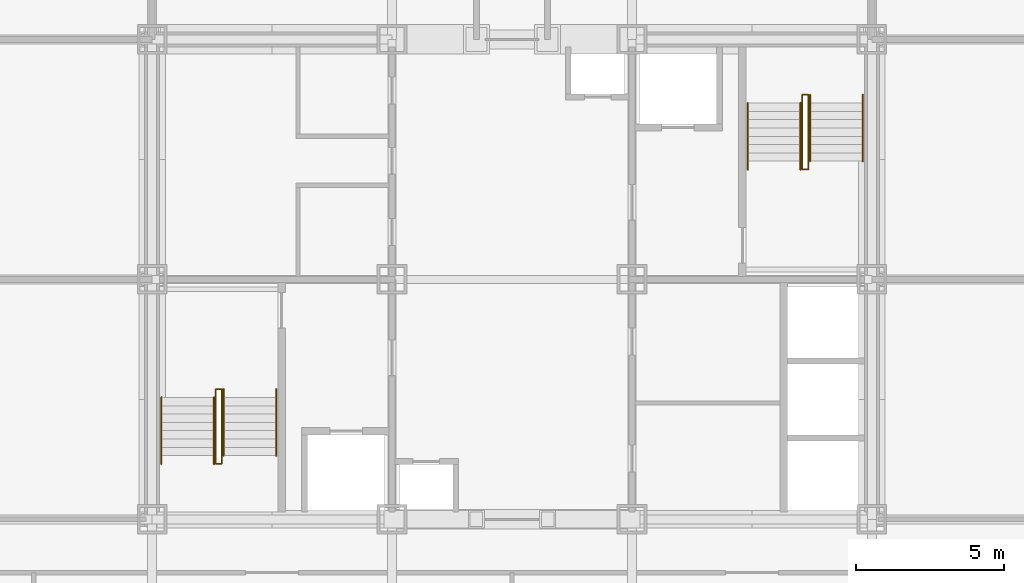
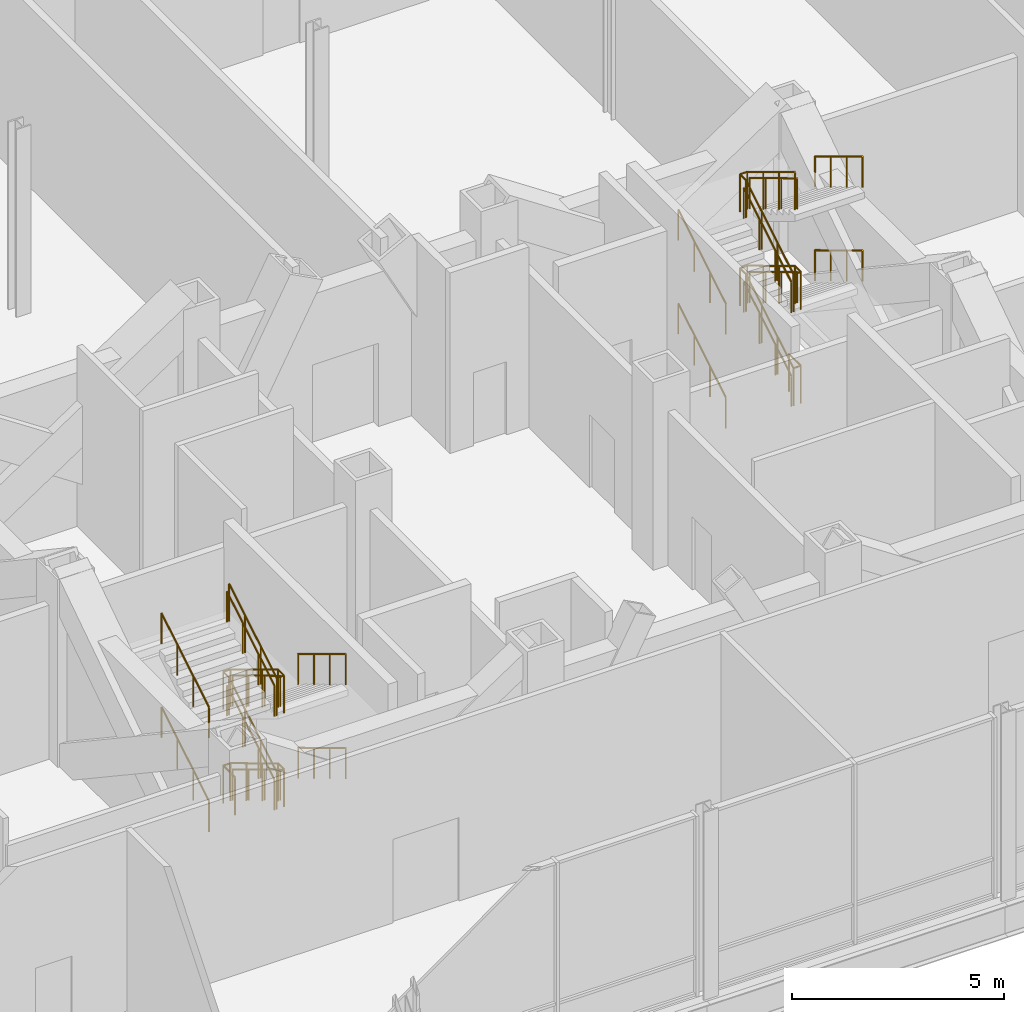
# One storey, part 21 of 21: 18 railings.
"""IFC4 building model written with IfcOpenShell, lengths in metres."""

from ifc_helpers import new_model, si_unit, direction, frame, origin, origin_2d, place, context, subcontext, project, spatial, circle, extrude, material, type_object, element, save


model = new_model("IFC4")

# Units and contexts
model_context = context("Model", 3, precision=1e-05, world=origin(), true_north=direction((0.0, 1.0)))
body_context = subcontext(model_context, "Body", "Model", "MODEL_VIEW")
ifc_project = project(units=[si_unit("LENGTHUNIT", "METRE"), si_unit("AREAUNIT", "SQUARE_METRE"), si_unit("VOLUMEUNIT", "CUBIC_METRE"), si_unit("PLANEANGLEUNIT", "RADIAN"), si_unit("MASSUNIT", "GRAM", prefix="KILO")], contexts=[model_context])

# Site, building, storey
site_placement = place(None, origin())
site = spatial("IfcSite", under=ifc_project, at=site_placement, CompositionType="ELEMENT")
building_placement = place(site_placement, origin())
building = spatial("IfcBuilding", under=site, at=building_placement, Name="Kopane Lantern Tower", CompositionType="ELEMENT")
storey_placement = place(building_placement, frame((0.0, 0.0, 298.5)))
storey = spatial("IfcBuildingStorey", under=building, at=storey_placement, Name="L76", CompositionType="ELEMENT", Elevation=298.5)

# Railings
ifc_material_1 = material(Name="Steel", Category="steel")
railing_type_1 = type_object("IfcRailingType", Name="STAIR GUARD 1100", PredefinedType="GUARDRAIL", material=ifc_material_1)
railing_1_placement = place(storey_placement, frame((18.35009765625, 28.1298828125, 0.0)))
element("IfcRailing", 1, at=railing_1_placement, inside=storey, type_object=railing_type_1, Name="ST1 well guard L76", PredefinedType="GUARDRAIL", context=body_context, shape_type="SweptSolid", body=[
    extrude(circle(Radius=0.02392578125, at=origin_2d()), frame((0.0, 0.0, 1.076171875), z_axis=(0.0, 1.0, 0.0), x_axis=(-1.0, 0.0, 0.0)), (0.0, 0.0, 1.0), 0.56005859375),
    extrude(circle(Radius=0.02392578125, at=origin_2d()), frame((0.0, 0.56005859375, 1.076171875), z_axis=(1.0, 0.0, 0.0), x_axis=(0.0, 1.0, 0.0)), (0.0, 0.0, 1.0), 0.199951171875),
    extrude(circle(Radius=0.02392578125, at=origin_2d()), frame((0.199951171875, 0.56005859375, 1.076171875), z_axis=(0.0, -0.856461642802, 0.516210668632), x_axis=(1.0, 0.0, 0.0)), (0.0, 0.0, 1.0), 2.615478515625),
    extrude(circle(Radius=0.02392578125, at=origin_2d()), frame((0.199951171875, -1.679931640625, 2.42626953125), z_axis=(0.0, -1.0, 0.0), x_axis=(1.0, 0.0, 0.0)), (0.0, 0.0, 1.0), 0.280029296875),
    extrude(circle(Radius=0.02392578125, at=origin_2d()), frame((0.199951171875, -1.9599609375, 2.42626953125), z_axis=(-1.0, 0.0, 0.0), x_axis=(0.0, -1.0, 0.0)), (0.0, 0.0, 1.0), 0.199951171875),
    extrude(circle(Radius=0.02392578125, at=origin_2d()), frame((0.0, -1.9599609375, 2.42626953125), z_axis=(0.0, 0.856502912269, 0.516142190947), x_axis=(-1.0, 0.0, 0.0)), (0.0, 0.0, 1.0), 2.615234375),
    extrude(circle(Radius=0.02392578125, at=origin_2d()), frame((0.0, 0.280029296875, 3.77587890625), z_axis=(0.0, 1.0, 0.0), x_axis=(-1.0, 0.0, 0.0)), (0.0, 0.0, 1.0), 0.280029296875),
    extrude(circle(Radius=0.02392578125, at=origin_2d()), frame((0.0, 0.56005859375, 3.77587890625), z_axis=(1.0, 0.0, 0.0), x_axis=(0.0, 1.0, 0.0)), (0.0, 0.0, 1.0), 0.199951171875),
    extrude(circle(Radius=0.02392578125, at=origin_2d()), frame((0.199951171875, 0.56005859375, 3.77587890625), z_axis=(0.0, -0.856461642802, 0.516210668632), x_axis=(1.0, 0.0, 0.0)), (0.0, 0.0, 1.0), 2.615478515625),
    extrude(circle(Radius=0.02392578125, at=origin_2d()), frame((0.199951171875, -1.679931640625, 5.1259765625), z_axis=(0.0, -1.0, 0.0), x_axis=(1.0, 0.0, 0.0)), (0.0, 0.0, 1.0), 0.280029296875),
    extrude(circle(Radius=0.02392578125, at=origin_2d()), frame((0.199951171875, -1.9599609375, 5.1259765625), z_axis=(-1.0, 0.0, 0.0), x_axis=(0.0, -1.0, 0.0)), (0.0, 0.0, 1.0), 0.199951171875),
    extrude(circle(Radius=0.02392578125, at=origin_2d()), frame((0.0, -1.9599609375, 5.1259765625), z_axis=(0.0, 0.856502912269, 0.516142190947), x_axis=(-1.0, 0.0, 0.0)), (0.0, 0.0, 1.0), 2.615234375),
    extrude(circle(Radius=0.02099609375, at=origin_2d()), origin(), (0.0, 0.0, 1.0), 1.052001953125),
    extrude(circle(Radius=0.02099609375, at=origin_2d()), frame((0.0, 0.56005859375, 0.0)), (0.0, 0.0, 1.0), 1.052001953125),
    extrude(circle(Radius=0.02099609375, at=origin_2d()), frame((0.199951171875, 0.56005859375, 0.0)), (0.0, 0.0, 1.0), 1.052001953125),
    extrude(circle(Radius=0.02099609375, at=origin_2d()), frame((0.199951171875, -0.1865234375, 0.449951171875)), (0.0, 0.0, 1.0), 1.052001953125),
    extrude(circle(Radius=0.02099609375, at=origin_2d()), frame((0.199951171875, -0.933349609375, 0.900146484375)), (0.0, 0.0, 1.0), 1.052001953125),
    extrude(circle(Radius=0.02099609375, at=origin_2d()), frame((0.199951171875, -1.679931640625, 1.35009765625)), (0.0, 0.0, 1.0), 1.052001953125),
    extrude(circle(Radius=0.02099609375, at=origin_2d()), frame((0.199951171875, -1.9599609375, 1.35009765625)), (0.0, 0.0, 1.0), 1.052001953125),
    extrude(circle(Radius=0.02099609375, at=origin_2d()), frame((0.0, -1.9599609375, 1.35009765625)), (0.0, 0.0, 1.0), 1.052001953125),
    extrude(circle(Radius=0.02099609375, at=origin_2d()), frame((0.0, -1.21337890625, 1.800048828125)), (0.0, 0.0, 1.0), 1.052001953125),
    extrude(circle(Radius=0.02099609375, at=origin_2d()), frame((0.0, -0.466552734375, 2.25)), (0.0, 0.0, 1.0), 1.052001953125),
    extrude(circle(Radius=0.02099609375, at=origin_2d()), frame((0.0, 0.280029296875, 2.699951171875)), (0.0, 0.0, 1.0), 1.052001953125),
    extrude(circle(Radius=0.02099609375, at=origin_2d()), frame((0.0, 0.56005859375, 2.699951171875)), (0.0, 0.0, 1.0), 1.052001953125),
    extrude(circle(Radius=0.02099609375, at=origin_2d()), frame((0.199951171875, 0.56005859375, 2.699951171875)), (0.0, 0.0, 1.0), 1.052001953125),
    extrude(circle(Radius=0.02099609375, at=origin_2d()), frame((0.199951171875, -0.1865234375, 3.14990234375)), (0.0, 0.0, 1.0), 1.052001953125),
    extrude(circle(Radius=0.02099609375, at=origin_2d()), frame((0.199951171875, -0.933349609375, 3.60009765625)), (0.0, 0.0, 1.0), 1.052001953125),
    extrude(circle(Radius=0.02099609375, at=origin_2d()), frame((0.199951171875, -1.679931640625, 4.050048828125)), (0.0, 0.0, 1.0), 1.052001953125),
    extrude(circle(Radius=0.02099609375, at=origin_2d()), frame((0.199951171875, -1.9599609375, 4.050048828125)), (0.0, 0.0, 1.0), 1.052001953125),
    extrude(circle(Radius=0.02099609375, at=origin_2d()), frame((0.0, -1.9599609375, 4.050048828125)), (0.0, 0.0, 1.0), 1.052001953125),
    extrude(circle(Radius=0.02099609375, at=origin_2d()), frame((0.0, -1.21337890625, 4.5)), (0.0, 0.0, 1.0), 1.052001953125),
    extrude(circle(Radius=0.02099609375, at=origin_2d()), frame((0.0, -0.466552734375, 4.949951171875)), (0.0, 0.0, 1.0), 1.052001953125),
    extrude(circle(Radius=0.02099609375, at=origin_2d()), frame((0.0, 0.280029296875, 5.39990234375)), (0.0, 0.0, 1.0), 1.052001953125),
])
railing_2_placement = place(storey_placement, frame((38.35009765625, 36.669921875, 0.0)))
element("IfcRailing", 2, at=railing_2_placement, inside=storey, type_object=railing_type_1, Name="ST2 well guard L76", PredefinedType="GUARDRAIL", context=body_context, shape_type="SweptSolid", body=[
    extrude(circle(Radius=0.02392578125, at=origin_2d()), frame((0.0, 0.0, 1.076171875), z_axis=(0.0, -1.0, 0.0), x_axis=(1.0, 0.0, 0.0)), (0.0, 0.0, 1.0), 0.559814453125),
    extrude(circle(Radius=0.02392578125, at=origin_2d()), frame((0.0, -0.559814453125, 1.076171875), z_axis=(-1.0, 0.0, 0.0), x_axis=(0.0, -1.0, 0.0)), (0.0, 0.0, 1.0), 0.2001953125),
    extrude(circle(Radius=0.02392578125, at=origin_2d()), frame((-0.2001953125, -0.559814453125, 1.076171875), z_axis=(0.0, 0.856461642802, 0.516210668632), x_axis=(-1.0, 0.0, 0.0)), (0.0, 0.0, 1.0), 2.615478515625),
    extrude(circle(Radius=0.02392578125, at=origin_2d()), frame((-0.2001953125, 1.68017578125, 2.42626953125), z_axis=(0.0, 1.0, 0.0), x_axis=(-1.0, 0.0, 0.0)), (0.0, 0.0, 1.0), 0.27978515625),
    extrude(circle(Radius=0.02392578125, at=origin_2d()), frame((-0.2001953125, 1.9599609375, 2.42626953125), z_axis=(1.0, 0.0, 0.0), x_axis=(0.0, 1.0, 0.0)), (0.0, 0.0, 1.0), 0.2001953125),
    extrude(circle(Radius=0.02392578125, at=origin_2d()), frame((0.0, 1.9599609375, 2.42626953125), z_axis=(0.0, -0.856502912269, 0.516142190947), x_axis=(1.0, 0.0, 0.0)), (0.0, 0.0, 1.0), 2.615234375),
    extrude(circle(Radius=0.02392578125, at=origin_2d()), frame((0.0, -0.280029296875, 3.77587890625), z_axis=(0.0, -1.0, 0.0), x_axis=(1.0, 0.0, 0.0)), (0.0, 0.0, 1.0), 0.27978515625),
    extrude(circle(Radius=0.02392578125, at=origin_2d()), frame((0.0, -0.559814453125, 3.77587890625), z_axis=(-1.0, 0.0, 0.0), x_axis=(0.0, -1.0, 0.0)), (0.0, 0.0, 1.0), 0.2001953125),
    extrude(circle(Radius=0.02392578125, at=origin_2d()), frame((-0.2001953125, -0.559814453125, 3.77587890625), z_axis=(0.0, 0.856461642802, 0.516210668632), x_axis=(-1.0, 0.0, 0.0)), (0.0, 0.0, 1.0), 2.615478515625),
    extrude(circle(Radius=0.02392578125, at=origin_2d()), frame((-0.2001953125, 1.68017578125, 5.1259765625), z_axis=(0.0, 1.0, 0.0), x_axis=(-1.0, 0.0, 0.0)), (0.0, 0.0, 1.0), 0.27978515625),
    extrude(circle(Radius=0.02392578125, at=origin_2d()), frame((-0.2001953125, 1.9599609375, 5.1259765625), z_axis=(1.0, 0.0, 0.0), x_axis=(0.0, 1.0, 0.0)), (0.0, 0.0, 1.0), 0.2001953125),
    extrude(circle(Radius=0.02392578125, at=origin_2d()), frame((0.0, 1.9599609375, 5.1259765625), z_axis=(0.0, -0.856502912269, 0.516142190947), x_axis=(1.0, 0.0, 0.0)), (0.0, 0.0, 1.0), 2.615234375),
    extrude(circle(Radius=0.02099609375, at=origin_2d()), origin(), (0.0, 0.0, 1.0), 1.052001953125),
    extrude(circle(Radius=0.02099609375, at=origin_2d()), frame((0.0, -0.559814453125, 0.0)), (0.0, 0.0, 1.0), 1.052001953125),
    extrude(circle(Radius=0.02099609375, at=origin_2d()), frame((-0.2001953125, -0.559814453125, 0.0)), (0.0, 0.0, 1.0), 1.052001953125),
    extrude(circle(Radius=0.02099609375, at=origin_2d()), frame((-0.2001953125, 0.186767578125, 0.449951171875)), (0.0, 0.0, 1.0), 1.052001953125),
    extrude(circle(Radius=0.02099609375, at=origin_2d()), frame((-0.2001953125, 0.93359375, 0.900146484375)), (0.0, 0.0, 1.0), 1.052001953125),
    extrude(circle(Radius=0.02099609375, at=origin_2d()), frame((-0.2001953125, 1.68017578125, 1.35009765625)), (0.0, 0.0, 1.0), 1.052001953125),
    extrude(circle(Radius=0.02099609375, at=origin_2d()), frame((-0.2001953125, 1.9599609375, 1.35009765625)), (0.0, 0.0, 1.0), 1.052001953125),
    extrude(circle(Radius=0.02099609375, at=origin_2d()), frame((0.0, 1.9599609375, 1.35009765625)), (0.0, 0.0, 1.0), 1.052001953125),
    extrude(circle(Radius=0.02099609375, at=origin_2d()), frame((0.0, 1.21337890625, 1.800048828125)), (0.0, 0.0, 1.0), 1.052001953125),
    extrude(circle(Radius=0.02099609375, at=origin_2d()), frame((0.0, 0.466552734375, 2.25)), (0.0, 0.0, 1.0), 1.052001953125),
    extrude(circle(Radius=0.02099609375, at=origin_2d()), frame((0.0, -0.280029296875, 2.699951171875)), (0.0, 0.0, 1.0), 1.052001953125),
    extrude(circle(Radius=0.02099609375, at=origin_2d()), frame((0.0, -0.559814453125, 2.699951171875)), (0.0, 0.0, 1.0), 1.052001953125),
    extrude(circle(Radius=0.02099609375, at=origin_2d()), frame((-0.2001953125, -0.559814453125, 2.699951171875)), (0.0, 0.0, 1.0), 1.052001953125),
    extrude(circle(Radius=0.02099609375, at=origin_2d()), frame((-0.2001953125, 0.186767578125, 3.14990234375)), (0.0, 0.0, 1.0), 1.052001953125),
    extrude(circle(Radius=0.02099609375, at=origin_2d()), frame((-0.2001953125, 0.93359375, 3.60009765625)), (0.0, 0.0, 1.0), 1.052001953125),
    extrude(circle(Radius=0.02099609375, at=origin_2d()), frame((-0.2001953125, 1.68017578125, 4.050048828125)), (0.0, 0.0, 1.0), 1.052001953125),
    extrude(circle(Radius=0.02099609375, at=origin_2d()), frame((-0.2001953125, 1.9599609375, 4.050048828125)), (0.0, 0.0, 1.0), 1.052001953125),
    extrude(circle(Radius=0.02099609375, at=origin_2d()), frame((0.0, 1.9599609375, 4.050048828125)), (0.0, 0.0, 1.0), 1.052001953125),
    extrude(circle(Radius=0.02099609375, at=origin_2d()), frame((0.0, 1.21337890625, 4.5)), (0.0, 0.0, 1.0), 1.052001953125),
    extrude(circle(Radius=0.02099609375, at=origin_2d()), frame((0.0, 0.466552734375, 4.949951171875)), (0.0, 0.0, 1.0), 1.052001953125),
    extrude(circle(Radius=0.02099609375, at=origin_2d()), frame((0.0, -0.280029296875, 5.39990234375)), (0.0, 0.0, 1.0), 1.052001953125),
])
ifc_material_2 = material(Name="Steel", Category="steel")
railing_type_2 = type_object("IfcRailingType", Name="STAIR HANDRAIL 900", PredefinedType="HANDRAIL", material=ifc_material_2)
for number, where, name in (
    (3, (20.389892578125, 28.68994140625, 0.0), "ST1 handrail L76 flight 1"),
    (4, (18.610107421875, 28.68994140625, 0.0), "ST1 handrail L76 flight 1"),
):
    element("IfcRailing", number, at=place(storey_placement, frame(where)), inside=storey, type_object=railing_type_2, Name=name, PredefinedType="HANDRAIL", context=body_context, shape_type="SweptSolid", body=[
        extrude(circle(Radius=0.02392578125, at=origin_2d()), frame((0.0, 0.0, 0.8759765625), z_axis=(0.0, -0.856461642802, 0.516210668632), x_axis=(1.0, 0.0, 0.0)), (0.0, 0.0, 1.0), 2.615478515625),
        extrude(circle(Radius=0.02099609375, at=origin_2d()), origin(), (0.0, 0.0, 1.0), 0.851806640625),
        extrude(circle(Radius=0.02099609375, at=origin_2d()), frame((0.0, -0.74658203125, 0.449951171875)), (0.0, 0.0, 1.0), 0.851806640625),
        extrude(circle(Radius=0.02099609375, at=origin_2d()), frame((0.0, -1.493408203125, 0.900146484375)), (0.0, 0.0, 1.0), 0.851806640625),
        extrude(circle(Radius=0.02099609375, at=origin_2d()), frame((0.0, -2.239990234375, 1.35009765625)), (0.0, 0.0, 1.0), 0.851806640625),
    ])
for number, where, name in (
    (5, (16.510009765625, 26.169921875, 1.35009765625), "ST1 handrail L76 flight 2"),
    (6, (18.2900390625, 26.169921875, 1.35009765625), "ST1 handrail L76 flight 2"),
):
    element("IfcRailing", number, at=place(storey_placement, frame(where)), inside=storey, type_object=railing_type_2, Name=name, PredefinedType="HANDRAIL", context=body_context, shape_type="SweptSolid", body=[
        extrude(circle(Radius=0.02392578125, at=origin_2d()), frame((0.0, 0.0, 0.8759765625), z_axis=(0.0, 0.856502912269, 0.516142190947), x_axis=(-1.0, 0.0, 0.0)), (0.0, 0.0, 1.0), 2.615234375),
        extrude(circle(Radius=0.02099609375, at=origin_2d()), origin(), (0.0, 0.0, 1.0), 0.851806640625),
        extrude(circle(Radius=0.02099609375, at=origin_2d()), frame((0.0, 0.74658203125, 0.449951171875)), (0.0, 0.0, 1.0), 0.851806640625),
        extrude(circle(Radius=0.02099609375, at=origin_2d()), frame((0.0, 1.493408203125, 0.89990234375)), (0.0, 0.0, 1.0), 0.851806640625),
        extrude(circle(Radius=0.02099609375, at=origin_2d()), frame((0.0, 2.239990234375, 1.349853515625)), (0.0, 0.0, 1.0), 0.851806640625),
    ])
for number, where, name in (
    (7, (20.389892578125, 28.68994140625, 2.699951171875), "ST1 handrail L76 flight 3"),
    (8, (18.610107421875, 28.68994140625, 2.699951171875), "ST1 handrail L76 flight 3"),
):
    element("IfcRailing", number, at=place(storey_placement, frame(where)), inside=storey, type_object=railing_type_2, Name=name, PredefinedType="HANDRAIL", context=body_context, shape_type="SweptSolid", body=[
        extrude(circle(Radius=0.02392578125, at=origin_2d()), frame((0.0, 0.0, 0.8759765625), z_axis=(0.0, -0.856461642802, 0.516210668632), x_axis=(1.0, 0.0, 0.0)), (0.0, 0.0, 1.0), 2.615478515625),
        extrude(circle(Radius=0.02099609375, at=origin_2d()), origin(), (0.0, 0.0, 1.0), 0.851806640625),
        extrude(circle(Radius=0.02099609375, at=origin_2d()), frame((0.0, -0.74658203125, 0.449951171875)), (0.0, 0.0, 1.0), 0.851806640625),
        extrude(circle(Radius=0.02099609375, at=origin_2d()), frame((0.0, -1.493408203125, 0.900146484375)), (0.0, 0.0, 1.0), 0.851806640625),
        extrude(circle(Radius=0.02099609375, at=origin_2d()), frame((0.0, -2.239990234375, 1.35009765625)), (0.0, 0.0, 1.0), 0.851806640625),
    ])
for number, where, name in (
    (9, (16.510009765625, 26.169921875, 4.050048828125), "ST1 handrail L76 flight 4"),
    (10, (18.2900390625, 26.169921875, 4.050048828125), "ST1 handrail L76 flight 4"),
):
    element("IfcRailing", number, at=place(storey_placement, frame(where)), inside=storey, type_object=railing_type_2, Name=name, PredefinedType="HANDRAIL", context=body_context, shape_type="SweptSolid", body=[
        extrude(circle(Radius=0.02392578125, at=origin_2d()), frame((0.0, 0.0, 0.8759765625), z_axis=(0.0, 0.856502912269, 0.516142190947), x_axis=(-1.0, 0.0, 0.0)), (0.0, 0.0, 1.0), 2.615234375),
        extrude(circle(Radius=0.02099609375, at=origin_2d()), origin(), (0.0, 0.0, 1.0), 0.851806640625),
        extrude(circle(Radius=0.02099609375, at=origin_2d()), frame((0.0, 0.74658203125, 0.449951171875)), (0.0, 0.0, 1.0), 0.851806640625),
        extrude(circle(Radius=0.02099609375, at=origin_2d()), frame((0.0, 1.493408203125, 0.89990234375)), (0.0, 0.0, 1.0), 0.851806640625),
        extrude(circle(Radius=0.02099609375, at=origin_2d()), frame((0.0, 2.239990234375, 1.349853515625)), (0.0, 0.0, 1.0), 0.851806640625),
    ])
for number, where, name in (
    (11, (36.31005859375, 36.110107421875, 0.0), "ST2 handrail L76 flight 1"),
    (12, (38.090087890625, 36.110107421875, 0.0), "ST2 handrail L76 flight 1"),
):
    element("IfcRailing", number, at=place(storey_placement, frame(where)), inside=storey, type_object=railing_type_2, Name=name, PredefinedType="HANDRAIL", context=body_context, shape_type="SweptSolid", body=[
        extrude(circle(Radius=0.02392578125, at=origin_2d()), frame((0.0, 0.0, 0.8759765625), z_axis=(0.0, 0.856461642802, 0.516210668632), x_axis=(-1.0, 0.0, 0.0)), (0.0, 0.0, 1.0), 2.615478515625),
        extrude(circle(Radius=0.02099609375, at=origin_2d()), origin(), (0.0, 0.0, 1.0), 0.851806640625),
        extrude(circle(Radius=0.02099609375, at=origin_2d()), frame((0.0, 0.74658203125, 0.449951171875)), (0.0, 0.0, 1.0), 0.851806640625),
        extrude(circle(Radius=0.02099609375, at=origin_2d()), frame((0.0, 1.493408203125, 0.900146484375)), (0.0, 0.0, 1.0), 0.851806640625),
        extrude(circle(Radius=0.02099609375, at=origin_2d()), frame((0.0, 2.239990234375, 1.35009765625)), (0.0, 0.0, 1.0), 0.851806640625),
    ])
for number, where, name in (
    (13, (40.18994140625, 38.6298828125, 1.35009765625), "ST2 handrail L76 flight 2"),
    (14, (38.409912109375, 38.6298828125, 1.35009765625), "ST2 handrail L76 flight 2"),
):
    element("IfcRailing", number, at=place(storey_placement, frame(where)), inside=storey, type_object=railing_type_2, Name=name, PredefinedType="HANDRAIL", context=body_context, shape_type="SweptSolid", body=[
        extrude(circle(Radius=0.02392578125, at=origin_2d()), frame((0.0, 0.0, 0.8759765625), z_axis=(0.0, -0.856502912269, 0.516142190947), x_axis=(1.0, 0.0, 0.0)), (0.0, 0.0, 1.0), 2.615234375),
        extrude(circle(Radius=0.02099609375, at=origin_2d()), origin(), (0.0, 0.0, 1.0), 0.851806640625),
        extrude(circle(Radius=0.02099609375, at=origin_2d()), frame((0.0, -0.74658203125, 0.449951171875)), (0.0, 0.0, 1.0), 0.851806640625),
        extrude(circle(Radius=0.02099609375, at=origin_2d()), frame((0.0, -1.493408203125, 0.89990234375)), (0.0, 0.0, 1.0), 0.851806640625),
        extrude(circle(Radius=0.02099609375, at=origin_2d()), frame((0.0, -2.239990234375, 1.349853515625)), (0.0, 0.0, 1.0), 0.851806640625),
    ])
for number, where, name in (
    (15, (36.31005859375, 36.110107421875, 2.699951171875), "ST2 handrail L76 flight 3"),
    (16, (38.090087890625, 36.110107421875, 2.699951171875), "ST2 handrail L76 flight 3"),
):
    element("IfcRailing", number, at=place(storey_placement, frame(where)), inside=storey, type_object=railing_type_2, Name=name, PredefinedType="HANDRAIL", context=body_context, shape_type="SweptSolid", body=[
        extrude(circle(Radius=0.02392578125, at=origin_2d()), frame((0.0, 0.0, 0.8759765625), z_axis=(0.0, 0.856461642802, 0.516210668632), x_axis=(-1.0, 0.0, 0.0)), (0.0, 0.0, 1.0), 2.615478515625),
        extrude(circle(Radius=0.02099609375, at=origin_2d()), origin(), (0.0, 0.0, 1.0), 0.851806640625),
        extrude(circle(Radius=0.02099609375, at=origin_2d()), frame((0.0, 0.74658203125, 0.449951171875)), (0.0, 0.0, 1.0), 0.851806640625),
        extrude(circle(Radius=0.02099609375, at=origin_2d()), frame((0.0, 1.493408203125, 0.900146484375)), (0.0, 0.0, 1.0), 0.851806640625),
        extrude(circle(Radius=0.02099609375, at=origin_2d()), frame((0.0, 2.239990234375, 1.35009765625)), (0.0, 0.0, 1.0), 0.851806640625),
    ])
for number, where, name in (
    (17, (40.18994140625, 38.6298828125, 4.050048828125), "ST2 handrail L76 flight 4"),
    (18, (38.409912109375, 38.6298828125, 4.050048828125), "ST2 handrail L76 flight 4"),
):
    element("IfcRailing", number, at=place(storey_placement, frame(where)), inside=storey, type_object=railing_type_2, Name=name, PredefinedType="HANDRAIL", context=body_context, shape_type="SweptSolid", body=[
        extrude(circle(Radius=0.02392578125, at=origin_2d()), frame((0.0, 0.0, 0.8759765625), z_axis=(0.0, -0.856502912269, 0.516142190947), x_axis=(1.0, 0.0, 0.0)), (0.0, 0.0, 1.0), 2.615234375),
        extrude(circle(Radius=0.02099609375, at=origin_2d()), origin(), (0.0, 0.0, 1.0), 0.851806640625),
        extrude(circle(Radius=0.02099609375, at=origin_2d()), frame((0.0, -0.74658203125, 0.449951171875)), (0.0, 0.0, 1.0), 0.851806640625),
        extrude(circle(Radius=0.02099609375, at=origin_2d()), frame((0.0, -1.493408203125, 0.89990234375)), (0.0, 0.0, 1.0), 0.851806640625),
        extrude(circle(Radius=0.02099609375, at=origin_2d()), frame((0.0, -2.239990234375, 1.349853515625)), (0.0, 0.0, 1.0), 0.851806640625),
    ])

save(model, "model.ifc")
